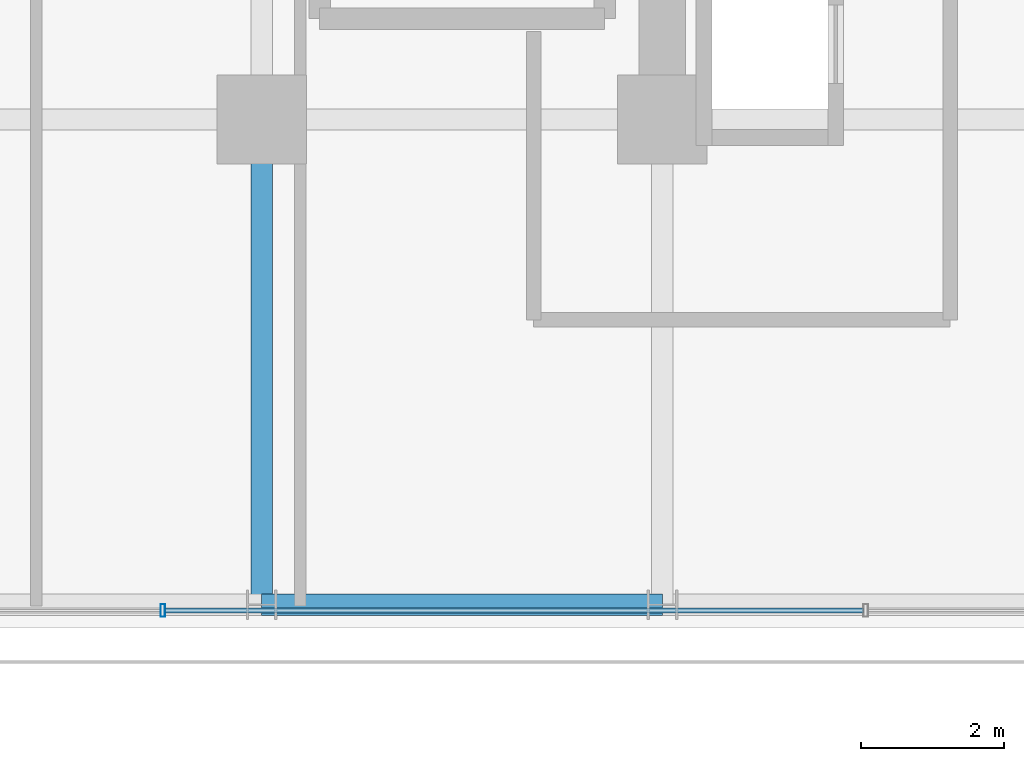
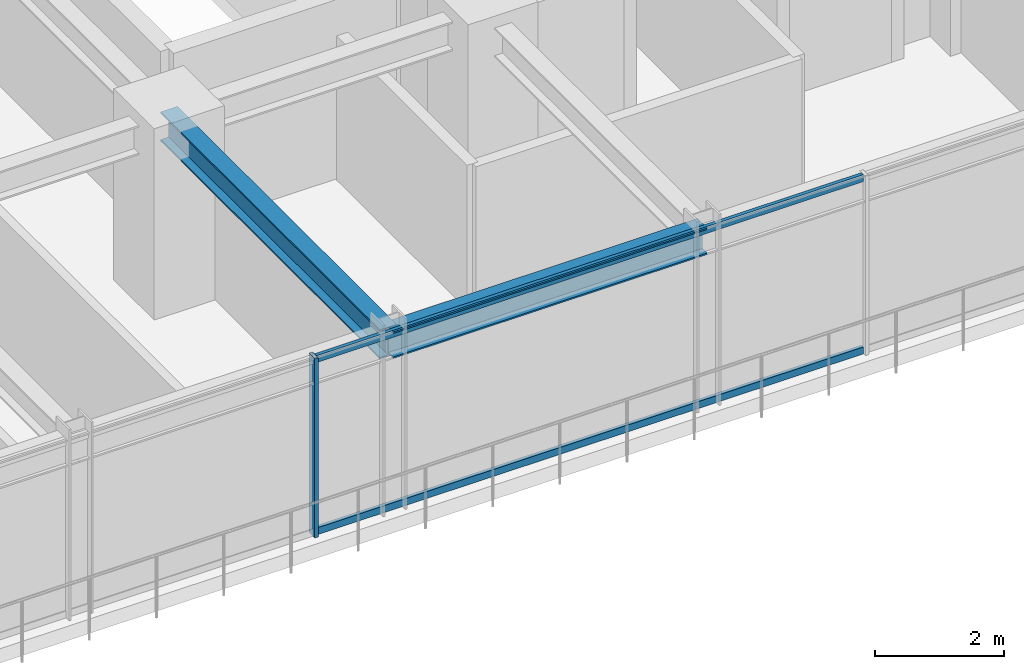
# One storey, part 5 of 34: 3 members, 2 beams, 1 element without a shape of its own.
"""IFC4 building model written with IfcOpenShell, lengths in metres."""

from ifc_helpers import new_model, si_unit, direction, frame, origin, origin_2d, place, context, subcontext, project, spatial, hollow_rectangle, i_section, extrude, source, transform, mapped, material, material_profile, profile_set, type_object, element, aggregate, save


model = new_model("IFC4")

# Units and contexts
model_context = context("Model", 3, precision=1e-05, world=origin(), true_north=direction((0.0, 1.0)))
body_context = subcontext(model_context, "Body", "Model", "MODEL_VIEW")
ifc_project = project(units=[si_unit("LENGTHUNIT", "METRE"), si_unit("AREAUNIT", "SQUARE_METRE"), si_unit("VOLUMEUNIT", "CUBIC_METRE"), si_unit("PLANEANGLEUNIT", "RADIAN"), si_unit("MASSUNIT", "GRAM", prefix="KILO")], contexts=[model_context])

# Site, building, storey
site_placement = place(None, origin())
site = spatial("IfcSite", under=ifc_project, at=site_placement, CompositionType="ELEMENT")
building_placement = place(site_placement, origin())
building = spatial("IfcBuilding", under=site, at=building_placement, Name="Nahalor Promenade Grand Hotel", CompositionType="ELEMENT")
storey_placement = place(building_placement, frame((0.0, 0.0, 88.300048828125)))
storey = spatial("IfcBuildingStorey", under=building, at=storey_placement, Name="L21", CompositionType="ELEMENT", Elevation=88.300048828125)

# Beams
ifc_material_1 = material(Name="Steel S355JR", Category="steel")
ifc_material_profile_1 = material_profile(ifc_material_1, i_section(OverallWidth=0.3, OverallDepth=0.5, WebThickness=0.0145, FlangeThickness=0.028, at=origin_2d()), Name="HEB 500")
ifc_profile_set_1 = profile_set([ifc_material_profile_1], Name="Steel S355JR")
beam_type_1 = type_object("IfcBeamType", Name="Beam-Spandrel-HEB500", PredefinedType="SPANDREL", material=ifc_profile_set_1)
shared_shape_1 = source(origin(), body_context, "Body", "SweptSolid", [
    extrude(i_section(OverallWidth=0.3, OverallDepth=0.5, WebThickness=0.0145, FlangeThickness=0.028, at=origin_2d()), origin(), (0.0, 0.0, 1.0), 5.599853515625),
])
beam_1_placement = place(storey_placement, frame((2.800048828125, -23.780029296875, 3.1298828125), z_axis=(1.0, 0.0, 0.0), x_axis=(0.0, 1.0, 0.0)))
element("IfcBeam", 1, at=beam_1_placement, inside=storey, type_object=beam_type_1, Name="BM-L21-SP-S-3", PredefinedType="SPANDREL", context=body_context, shape_type="MappedRepresentation", body=[
    mapped(shared_shape_1, transform((0.0, 0.0, 0.0), scale=1.0)),
])
ifc_material_profile_2 = material_profile(ifc_material_1, i_section(OverallWidth=0.3, OverallDepth=0.55, WebThickness=0.015, FlangeThickness=0.029, at=origin_2d()), Name="HEB 550")
ifc_profile_set_2 = profile_set([ifc_material_profile_2], Name="Steel S355JR")
beam_type_2 = type_object("IfcBeamType", Name="Beam-Girder-HEB550", PredefinedType="BEAM", material=ifc_profile_set_2)
shared_shape_2 = source(origin(), body_context, "Body", "SweptSolid", [
    extrude(i_section(OverallWidth=0.3, OverallDepth=0.55, WebThickness=0.015, FlangeThickness=0.029, at=origin_2d()), origin(), (0.0, 0.0, 1.0), 6.780029296875),
])
beam_2_placement = place(storey_placement, frame((2.800048828125, -23.780029296875, 3.10498046875), z_axis=(0.0, 1.0, 0.0), x_axis=(-1.0, 0.0, 0.0)))
element("IfcBeam", 2, at=beam_2_placement, inside=storey, type_object=beam_type_2, Name="BM-L21-GY-3-0", PredefinedType="BEAM", context=body_context, shape_type="MappedRepresentation", body=[
    mapped(shared_shape_2, transform((0.0, 0.0, 0.0), scale=1.0)),
])

# Curtain wall, members
ifc_material_2 = material(Name="Anodised Bronze Aluminium EN AW-6063 T6", Category="aluminium")
curtain_wall_type = type_object("IfcCurtainWallType", Name="CW2 Typical Hotel Flush Bronze Unitised Curtain Wall", PredefinedType="USERDEFINED", material=ifc_material_2)
curtain_wall_placement = place(storey_placement, origin())
curtain_wall = element("IfcCurtainWall", 3, at=curtain_wall_placement, inside=storey, type_object=curtain_wall_type, Name="L21 Curtain Wall CW-L21-S-3", ObjectType="UNITISED_CURTAIN_WALL", PredefinedType="USERDEFINED")
ifc_material_profile_3 = material_profile(ifc_material_2, hollow_rectangle(XDim=0.065, YDim=0.18, WallThickness=0.004, at=origin_2d()), Name="CWM 65x180x4")
ifc_profile_set_3 = profile_set([ifc_material_profile_3], Name="Anodised Bronze Aluminium EN AW-6063 T6")
member_type_1 = type_object("IfcMemberType", Name="CWM2 Typical Bronze Mullion 65x180", PredefinedType="MULLION", material=ifc_profile_set_3)
shared_shape_3 = source(origin(), body_context, "Body", "SweptSolid", [
    extrude(hollow_rectangle(XDim=0.065, YDim=0.18, WallThickness=0.004, at=origin_2d()), origin(), (0.0, 0.0, 1.0), 3.3798828125),
])
member_1_placement = place(storey_placement, frame((1.419921875, -23.860107421875, 0.0), z_axis=(0.0, 0.0, 1.0), x_axis=(1.0, 0.0, 0.0)))
member_1 = element("IfcMember", 4, at=member_1_placement, type_object=member_type_1, Name="CW-L21-S-3 Mullion 1", PredefinedType="MULLION", context=body_context, shape_type="MappedRepresentation", body=[
    mapped(shared_shape_3, transform((0.0, 0.0, 0.0), scale=1.0)),
])
ifc_material_profile_4 = material_profile(ifc_material_2, hollow_rectangle(XDim=0.065, YDim=0.13, WallThickness=0.004, at=origin_2d()), Name="CWT 65x130x4")
ifc_profile_set_4 = profile_set([ifc_material_profile_4], Name="Anodised Bronze Aluminium EN AW-6063 T6")
member_type_2 = type_object("IfcMemberType", Name="CWT2 Typical Bronze Transom 65x130", PredefinedType="USERDEFINED", material=ifc_profile_set_4)
shared_shape_4 = source(origin(), body_context, "Body", "SweptSolid", [
    extrude(hollow_rectangle(XDim=0.065, YDim=0.13, WallThickness=0.004, at=origin_2d()), origin(), (0.0, 0.0, 1.0), 9.755126953125),
])
member_2_placement = place(storey_placement, frame((1.452392578125, -23.860107421875, 0.06494140625), z_axis=(1.0, 0.0, 0.0), x_axis=(0.0, 1.0, 0.0)))
member_2 = element("IfcMember", 5, at=member_2_placement, type_object=member_type_2, Name="CW-L21-S-3 Transom 1-0", ObjectType="TRANSOM", PredefinedType="USERDEFINED", context=body_context, shape_type="MappedRepresentation", body=[
    mapped(shared_shape_4, transform((0.0, 0.0, 0.0), scale=1.0)),
])
member_3_placement = place(storey_placement, frame((1.452392578125, -23.860107421875, 3.31494140625), z_axis=(1.0, 0.0, 0.0), x_axis=(0.0, 1.0, 0.0)))
member_3 = element("IfcMember", 6, at=member_3_placement, type_object=member_type_2, Name="CW-L21-S-3 Transom 1-1", ObjectType="TRANSOM", PredefinedType="USERDEFINED", context=body_context, shape_type="MappedRepresentation", body=[
    mapped(shared_shape_4, transform((0.0, 0.0, 0.0), scale=1.0)),
])
aggregate(curtain_wall, [member_1, member_2, member_3])

save(model, "model.ifc")
